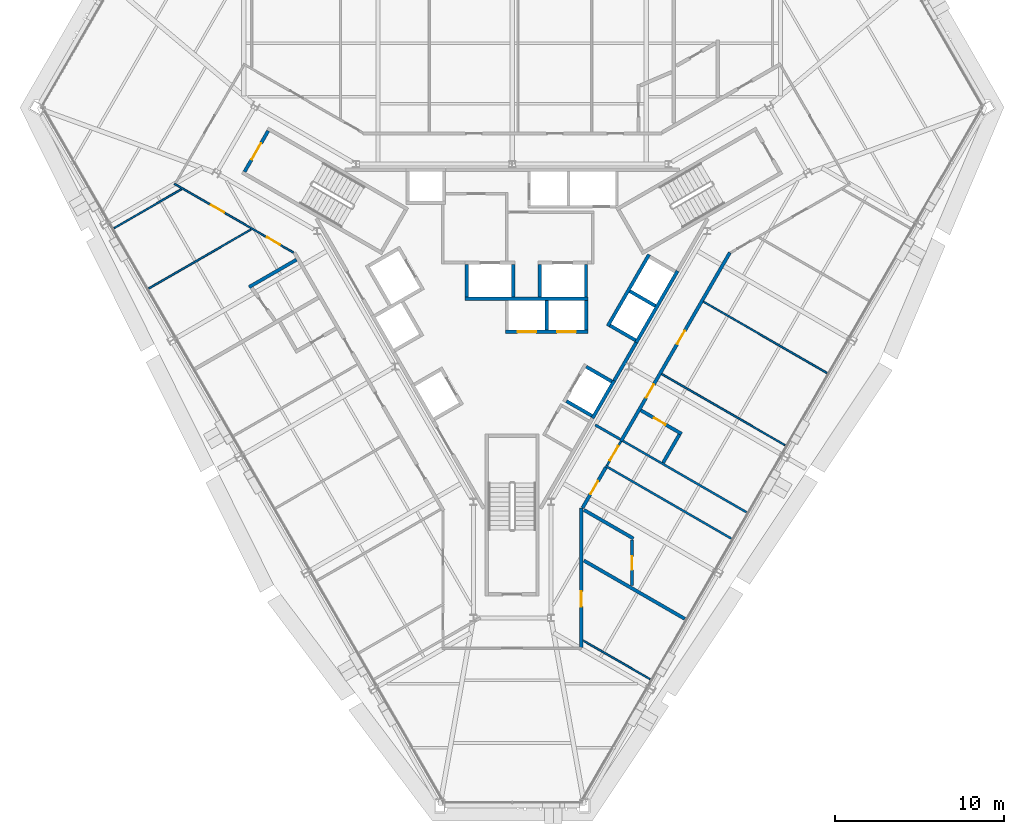
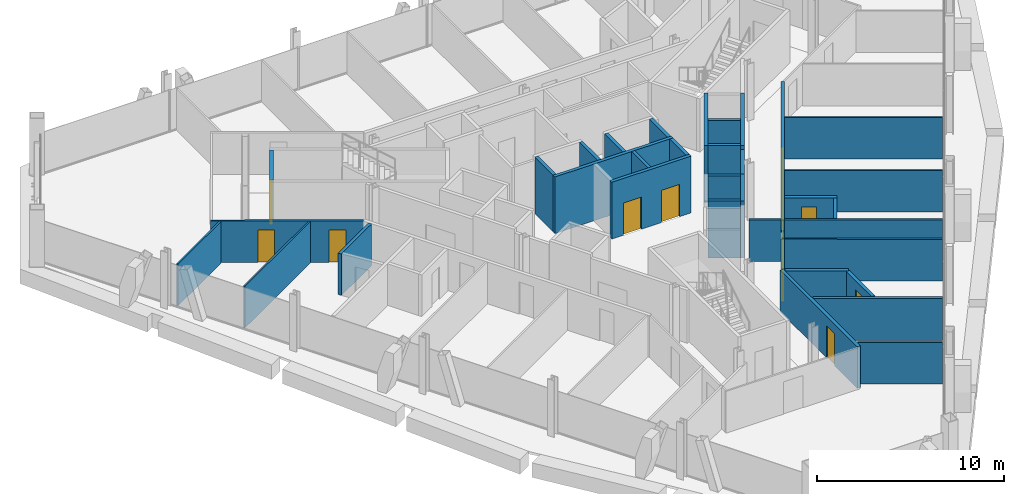
# One storey, part 10 of 14: 36 walls, 12 doors, 12 openings.
"""IFC4 building model written with IfcOpenShell, lengths in metres."""

from ifc_helpers import new_model, si_unit, direction, frame, frame_2d, origin, place, context, subcontext, project, spatial, rectangle, extrude, material, layer, layer_set, type_object, element, fill, save


model = new_model("IFC4")

# Units and contexts
model_context = context("Model", 3, precision=1e-05, world=origin(), true_north=direction((0.0, 1.0)))
body_context = subcontext(model_context, "Body", "Model", "MODEL_VIEW")
ifc_project = project(units=[si_unit("LENGTHUNIT", "METRE"), si_unit("AREAUNIT", "SQUARE_METRE"), si_unit("VOLUMEUNIT", "CUBIC_METRE"), si_unit("PLANEANGLEUNIT", "RADIAN"), si_unit("MASSUNIT", "GRAM", prefix="KILO")], contexts=[model_context])

# Site, building, storey
site_placement = place(None, origin())
site = spatial("IfcSite", under=ifc_project, at=site_placement, CompositionType="ELEMENT")
building_placement = place(site_placement, origin())
building = spatial("IfcBuilding", under=site, at=building_placement, Name="Verrane Prism Tower", CompositionType="ELEMENT")
storey_placement = place(building_placement, frame((0.0, 0.0, 193.199951171875)))
storey = spatial("IfcBuildingStorey", under=building, at=storey_placement, Name="L48", CompositionType="ELEMENT", Elevation=193.199951171875)

# Wall
ifc_material_1 = material(Name="Gypsum board partition", Category="other")
ifc_layer_1 = layer(ifc_material_1, 0.199951171875)
ifc_layer_set_1 = layer_set([ifc_layer_1], Name="CW-200 core boundary wall 2 h")
wall_type_1 = type_object("IfcWallType", Name="CW-200 core boundary wall 2 h", PredefinedType="PARTITIONING", material=ifc_layer_set_1)
wall_1_placement = place(storey_placement, frame((6.0419921875, -4.85498046875, 0.0), z_axis=(0.0, 0.0, 1.0), x_axis=(0.500252727967, 0.865879442048, 0.0)))
element("IfcWall", 1, at=wall_1_placement, inside=storey, type_object=wall_type_1, Name="Core boundary wall CW3-007", PredefinedType="PARTITIONING", context=body_context, shape_type="SweptSolid", body=[
    extrude(rectangle(XDim=2.616943359375, YDim=0.199951171875, at=frame_2d((1.30859375, 0.0))), origin(), (0.0, 0.0, 1.0), 3.449951171875),
])

# Wall, opening, door
ifc_material_2 = material(Name="Concrete C40/50", Category="concrete")
ifc_layer_2 = layer(ifc_material_2, 0.199951171875)
ifc_layer_set_2 = layer_set([ifc_layer_2], Name="CW-200 stair core wall concrete C40/50 3 h")
wall_type_2 = type_object("IfcWallType", Name="CW-200 stair core wall concrete C40/50 3 h", PredefinedType="PARTITIONING", material=ifc_layer_set_2)
wall_2_placement = place(storey_placement, frame((-14.455322265625, 9.96240234375, 0.0), z_axis=(0.0, 0.0, 1.0), x_axis=(-0.500049511043, -0.865996816683, 0.0)))
wall_2 = element("IfcWall", 2, at=wall_2_placement, inside=storey, type_object=wall_type_2, Name="Stair 2 enclosure wall", PredefinedType="PARTITIONING", context=body_context, shape_type="SweptSolid", body=[
    extrude(rectangle(XDim=2.800048828125, YDim=0.199951171875, at=frame_2d((1.39990234375, 0.0))), origin(), (0.0, 0.0, 1.0), 3.449951171875),
])
opening_1_placement = place(wall_2_placement, frame((0.849853515625, 0.0, 0.0)))
opening_1 = element("IfcOpeningElement", 3, at=opening_1_placement, cuts=wall_2, Name="Opening D47501", PredefinedType="OPENING", context=body_context, shape_type="SweptSolid", body=[
    extrude(rectangle(XDim=1.10009765625, YDim=2.10009765625, at=frame_2d((0.550048828125, 1.050048828125))), frame((0.0, 0.10986328125, 0.0), z_axis=(0.0, -1.0, 0.0), x_axis=(1.0, 0.0, 0.0)), (0.0, 0.0, 1.0), 0.219970703125),
])
ifc_material_3 = material(Name="Timber veneered door leaf", Category="wood")
door_type_1 = type_object("IfcDoorType", Name="DR-1100x2100 FD90 single leaf stair", OperationType="NOTDEFINED", PredefinedType="DOOR", material=ifc_material_3)
door_1_placement = place(opening_1_placement, origin())
door_1 = element("IfcDoor", 4, at=door_1_placement, inside=storey, type_object=door_type_1, Name="Stair 2 door", OperationType="SINGLE_SWING_RIGHT", OverallHeight=2.10009765625, OverallWidth=1.10009765625, PredefinedType="DOOR", context=body_context, shape_type="SweptSolid", body=[
    extrude(rectangle(XDim=1.10009765625, YDim=2.10009765625, at=frame_2d((0.550048828125, 1.050048828125))), frame((0.0, 0.02490234375, 0.0), z_axis=(0.0, -1.0, 0.0), x_axis=(1.0, 0.0, 0.0)), (0.0, 0.0, 1.0), 0.050048828125),
])
fill(opening_1, door_1)

# Wall, openings, doors
ifc_material_4 = material(Name="Gypsum board shaft wall assembly", Category="other")
ifc_layer_3 = layer(ifc_material_4, 0.199951171875)
ifc_layer_set_3 = layer_set([ifc_layer_3], Name="HW-200 lift shaft wall 2 h")
wall_type_3 = type_object("IfcWallType", Name="HW-200 lift shaft wall 2 h", PredefinedType="PARTITIONING", material=ifc_layer_set_3)
wall_3_placement = place(storey_placement, frame((-0.405029296875, -1.949951171875, 0.0), z_axis=(0.0, 0.0, 1.0), x_axis=(1.0, 0.0, 0.0)))
wall_3 = element("IfcWall", 5, at=wall_3_placement, inside=storey, type_object=wall_type_3, Name="Lift shaft wall", PredefinedType="PARTITIONING", context=body_context, shape_type="SweptSolid", body=[
    extrude(rectangle(XDim=4.900146484375, YDim=0.199951171875, at=frame_2d((2.4501953125, 0.0))), origin(), (0.0, 0.0, 1.0), 3.699951171875),
])
opening_2_placement = place(wall_3_placement, frame((0.72509765625, 0.0, 0.0)))
opening_2 = element("IfcOpeningElement", 6, at=opening_2_placement, cuts=wall_3, Name="Opening D47503", PredefinedType="OPENING", context=body_context, shape_type="SweptSolid", body=[
    extrude(rectangle(XDim=1.10009765625, YDim=2.10009765625, at=frame_2d((0.550048828125, 1.050048828125))), frame((0.0, 0.10986328125, 0.0), z_axis=(0.0, -1.0, 0.0), x_axis=(1.0, 0.0, 0.0)), (0.0, 0.0, 1.0), 0.219970703125),
])
opening_3_placement = place(wall_3_placement, frame((3.074951171875, 0.0, 0.0)))
opening_3 = element("IfcOpeningElement", 7, at=opening_3_placement, cuts=wall_3, Name="Opening D47504", PredefinedType="OPENING", context=body_context, shape_type="SweptSolid", body=[
    extrude(rectangle(XDim=1.10009765625, YDim=2.10009765625, at=frame_2d((0.550048828125, 1.050048828125))), frame((0.0, 0.10986328125, 0.0), z_axis=(0.0, -1.0, 0.0), x_axis=(1.0, 0.0, 0.0)), (0.0, 0.0, 1.0), 0.219970703125),
])
ifc_material_5 = material(Name="Stainless steel sliding landing door", Category="steel")
door_type_2 = type_object("IfcDoorType", Name="LD-1100x2100 lift landing door FD90 sliding", OperationType="NOTDEFINED", PredefinedType="DOOR", material=ifc_material_5)
door_2_placement = place(opening_2_placement, origin())
door_2 = element("IfcDoor", 8, at=door_2_placement, inside=storey, type_object=door_type_2, Name="Bank B lift 1 landing door", OperationType="SLIDING_TO_LEFT", OverallHeight=2.10009765625, OverallWidth=1.10009765625, PredefinedType="DOOR", context=body_context, shape_type="SweptSolid", body=[
    extrude(rectangle(XDim=1.10009765625, YDim=2.10009765625, at=frame_2d((0.550048828125, 1.050048828125))), frame((0.0, 0.02490234375, 0.0), z_axis=(0.0, -1.0, 0.0), x_axis=(1.0, 0.0, 0.0)), (0.0, 0.0, 1.0), 0.050048828125),
])
fill(opening_2, door_2)
door_3_placement = place(opening_3_placement, origin())
door_3 = element("IfcDoor", 9, at=door_3_placement, inside=storey, type_object=door_type_2, Name="Bank B lift 2 landing door", OperationType="SLIDING_TO_RIGHT", OverallHeight=2.10009765625, OverallWidth=1.10009765625, PredefinedType="DOOR", context=body_context, shape_type="SweptSolid", body=[
    extrude(rectangle(XDim=1.10009765625, YDim=2.10009765625, at=frame_2d((0.550048828125, 1.050048828125))), frame((0.0, 0.02490234375, 0.0), z_axis=(0.0, -1.0, 0.0), x_axis=(1.0, 0.0, 0.0)), (0.0, 0.0, 1.0), 0.050048828125),
])
fill(opening_3, door_3)

# Walls
wall_4_placement = place(storey_placement, frame((-2.784912109375, 0.0, 0.0), z_axis=(0.0, 0.0, 1.0), x_axis=(1.0, 0.0, 0.0)))
element("IfcWall", 10, at=wall_4_placement, inside=storey, type_object=wall_type_3, Name="Lift shaft wall", PredefinedType="PARTITIONING", context=body_context, shape_type="SweptSolid", body=[
    extrude(rectangle(XDim=7.280029296875, YDim=0.199951171875, at=frame_2d((3.64013671875, 0.0))), origin(), (0.0, 0.0, 1.0), 3.699951171875),
])
wall_5_placement = place(storey_placement, frame((4.766357421875, -7.064697265625, 0.0), z_axis=(0.0, 0.0, 1.0), x_axis=(0.499948979701, 0.866054858364, 0.0)))
element("IfcWall", 11, at=wall_5_placement, inside=storey, type_object=wall_type_3, Name="Lift shaft wall", PredefinedType="PARTITIONING", context=body_context, shape_type="SweptSolid", body=[
    extrude(rectangle(XDim=2.550048828125, YDim=0.199951171875, at=frame_2d((1.27490234375, 0.0))), origin(), (0.0, 0.0, 1.0), 3.699951171875),
])
wall_6_placement = place(storey_placement, frame((7.351318359375, -2.587158203125, 0.0), z_axis=(0.0, 0.0, 1.0), x_axis=(0.500002801628, 0.866023786258, 0.0)))
element("IfcWall", 12, at=wall_6_placement, inside=storey, type_object=wall_type_3, Name="Lift shaft wall", PredefinedType="PARTITIONING", context=body_context, shape_type="SweptSolid", body=[
    extrude(rectangle(XDim=4.89990234375, YDim=0.199951171875, at=frame_2d((2.449951171875, 0.0))), origin(), (0.0, 0.0, 1.0), 3.699951171875),
])
wall_7_placement = place(storey_placement, frame((5.66259765625, -1.6123046875, 0.0), z_axis=(0.0, 0.0, 1.0), x_axis=(0.49998122708, 0.866036242063, 0.0)))
element("IfcWall", 13, at=wall_7_placement, inside=storey, type_object=wall_type_3, Name="Lift shaft wall", PredefinedType="PARTITIONING", context=body_context, shape_type="SweptSolid", body=[
    extrude(rectangle(XDim=4.900146484375, YDim=0.199951171875, at=frame_2d((2.4501953125, 0.0))), origin(), (0.0, 0.0, 1.0), 3.699951171875),
])
wall_8_placement = place(storey_placement, frame((4.39501953125, -1.85009765625, 0.0), z_axis=(0.0, 0.0, 1.0), x_axis=(0.0, 1.0, 0.0)))
element("IfcWall", 14, at=wall_8_placement, inside=storey, type_object=wall_type_3, Name="Lift shaft wall", PredefinedType="PARTITIONING", context=body_context, shape_type="SweptSolid", body=[
    extrude(rectangle(XDim=1.75, YDim=0.199951171875, at=frame_2d((0.875, 0.0))), origin(), (0.0, 0.0, 1.0), 3.699951171875),
])
wall_9_placement = place(storey_placement, frame((4.375, 0.10009765625, 0.0), z_axis=(0.0, 0.0, 1.0), x_axis=(0.0, 1.0, 0.0)))
element("IfcWall", 15, at=wall_9_placement, inside=storey, type_object=wall_type_3, Name="Lift shaft wall", PredefinedType="PARTITIONING", context=body_context, shape_type="SweptSolid", body=[
    extrude(rectangle(XDim=1.949951171875, YDim=0.199951171875, at=frame_2d((0.97509765625, 0.0))), origin(), (0.0, 0.0, 1.0), 3.699951171875),
])
wall_10_placement = place(storey_placement, frame((2.044921875, -1.85009765625, 0.0), z_axis=(0.0, 0.0, 1.0), x_axis=(0.0, 1.0, 0.0)))
element("IfcWall", 16, at=wall_10_placement, inside=storey, type_object=wall_type_3, Name="Lift shaft wall", PredefinedType="PARTITIONING", context=body_context, shape_type="SweptSolid", body=[
    extrude(rectangle(XDim=1.75, YDim=0.199951171875, at=frame_2d((0.875, 0.0))), origin(), (0.0, 0.0, 1.0), 3.699951171875),
])
for number, where, z_axis, x_axis, name in (
    (17, (1.625, 0.10009765625, 0.0), (0.0, 0.0, 1.0), (0.0, 1.0, 0.0), "Lift shaft wall"),
    (18, (0.06494140625, 0.10009765625, 0.0), (0.0, 0.0, 1.0), (0.0, 1.0, 0.0), "Lift shaft wall"),
    (19, (-2.68505859375, 0.10009765625, 0.0), (0.0, 0.0, 1.0), (0.0, 1.0, 0.0), "Lift shaft wall"),
):
    element("IfcWall", number, at=place(storey_placement, frame(where, z_axis=z_axis, x_axis=x_axis)), inside=storey, type_object=wall_type_3, Name=name, PredefinedType="PARTITIONING", context=body_context, shape_type="SweptSolid", body=[
        extrude(rectangle(XDim=1.949951171875, YDim=0.199951171875, at=frame_2d((0.97509765625, 0.0))), origin(), (0.0, 0.0, 1.0), 3.699951171875),
    ])
for number, where, z_axis, x_axis, name in (
    (20, (8.48974609375, -0.41552734375, 0.0), (0.0, 0.0, 1.0), (-0.866036909293, 0.499980071345, 0.0), "Lift shaft wall"),
    (21, (7.314697265625, -2.45068359375, 0.0), (0.0, 0.0, 1.0), (-0.866036909293, 0.499980071345, 0.0), "Lift shaft wall"),
):
    element("IfcWall", number, at=place(storey_placement, frame(where, z_axis=z_axis, x_axis=x_axis)), inside=storey, type_object=wall_type_3, Name=name, PredefinedType="PARTITIONING", context=body_context, shape_type="SweptSolid", body=[
        extrude(rectangle(XDim=1.75, YDim=0.199951171875, at=frame_2d((0.875, 0.0))), origin(), (0.0, 0.0, 1.0), 3.699951171875),
    ])
wall_11_placement = place(storey_placement, frame((5.904541015625, -4.892822265625, 0.0), z_axis=(0.0, 0.0, 1.0), x_axis=(-0.866002029911, 0.500040482552, 0.0)))
element("IfcWall", 22, at=wall_11_placement, inside=storey, type_object=wall_type_3, Name="Lift shaft wall", PredefinedType="PARTITIONING", context=body_context, shape_type="SweptSolid", body=[
    extrude(rectangle(XDim=1.749755859375, YDim=0.199951171875, at=frame_2d((0.875, 0.0))), origin(), (0.0, 0.0, 1.0), 3.699951171875),
])
wall_12_placement = place(storey_placement, frame((4.729736328125, -6.927978515625, 0.0), z_axis=(0.0, 0.0, 1.0), x_axis=(-0.866036909293, 0.499980071345, 0.0)))
element("IfcWall", 23, at=wall_12_placement, inside=storey, type_object=wall_type_3, Name="Lift shaft wall", PredefinedType="PARTITIONING", context=body_context, shape_type="SweptSolid", body=[
    extrude(rectangle(XDim=1.75, YDim=0.199951171875, at=frame_2d((0.875, 0.0))), origin(), (0.0, 0.0, 1.0), 3.699951171875),
])
ifc_material_6 = material(Name="Gypsum board partition", Category="other")
ifc_layer_4 = layer(ifc_material_6, 0.10009765625)
ifc_layer_set_4 = layer_set([ifc_layer_4], Name="PW-100 room partition")
wall_type_4 = type_object("IfcWallType", Name="PW-100 room partition", PredefinedType="PARTITIONING", material=ifc_layer_set_4)
wall_13_placement = place(storey_placement, frame((-23.591796875, 4.19189453125, 0.0), z_axis=(0.0, 0.0, 1.0), x_axis=(0.866056775574, 0.499945658529, 0.0)))
element("IfcWall", 24, at=wall_13_placement, inside=storey, type_object=wall_type_4, Name="Room partition 001", PredefinedType="PARTITIONING", context=body_context, shape_type="SweptSolid", body=[
    extrude(rectangle(XDim=4.60791015625, YDim=0.10009765625, at=frame_2d((2.303955078125, 0.0))), origin(), (0.0, 0.0, 1.0), 2.713134765625),
])
wall_14_placement = place(storey_placement, frame((-21.529541015625, 0.6201171875, 0.0), z_axis=(0.0, 0.0, 1.0), x_axis=(0.865986079307, 0.500068105808, 0.0)))
element("IfcWall", 25, at=wall_14_placement, inside=storey, type_object=wall_type_4, Name="Room partition 002", PredefinedType="PARTITIONING", context=body_context, shape_type="SweptSolid", body=[
    extrude(rectangle(XDim=6.990234375, YDim=0.10009765625, at=frame_2d((3.4951171875, 0.0))), origin(), (0.0, 0.0, 1.0), 2.713134765625),
])

# Wall, openings, doors
wall_15_placement = place(storey_placement, frame((-12.95166015625, 2.744384765625, 0.0), z_axis=(0.0, 0.0, 1.0), x_axis=(-0.86608949446, 0.499888975259, 0.0)))
wall_15 = element("IfcWall", 26, at=wall_15_placement, inside=storey, type_object=wall_type_4, Name="Room partition 004", PredefinedType="PARTITIONING", context=body_context, shape_type="SweptSolid", body=[
    extrude(rectangle(XDim=8.164794921875, YDim=0.10009765625, at=frame_2d((4.08251953125, 0.0))), origin(), (0.0, 0.0, 1.0), 2.713134765625),
])
opening_4_placement = place(wall_15_placement, frame((4.740966796875, 0.0, 0.0)))
opening_4 = element("IfcOpeningElement", 27, at=opening_4_placement, cuts=wall_15, Name="Opening D47019", PredefinedType="OPENING", context=body_context, shape_type="SweptSolid", body=[
    extrude(rectangle(XDim=0.89990234375, YDim=2.10009765625, at=frame_2d((0.449951171875, 1.050048828125))), frame((0.0, 0.06005859375, 0.0), z_axis=(0.0, -1.0, 0.0), x_axis=(1.0, 0.0, 0.0)), (0.0, 0.0, 1.0), 0.1201171875),
])
opening_5_placement = place(wall_15_placement, frame((0.927978515625, 0.0, 0.0)))
opening_5 = element("IfcOpeningElement", 28, at=opening_5_placement, cuts=wall_15, Name="Opening D47020", PredefinedType="OPENING", context=body_context, shape_type="SweptSolid", body=[
    extrude(rectangle(XDim=0.89990234375, YDim=2.10009765625, at=frame_2d((0.449951171875, 1.050048828125))), frame((0.0, 0.06005859375, 0.0), z_axis=(0.0, -1.0, 0.0), x_axis=(1.0, 0.0, 0.0)), (0.0, 0.0, 1.0), 0.1201171875),
])
ifc_material_7 = material(Name="Timber veneered door leaf", Category="wood")
door_type_3 = type_object("IfcDoorType", Name="DR-900x2100 single leaf inner", OperationType="NOTDEFINED", PredefinedType="DOOR", material=ifc_material_7)
door_4_placement = place(opening_5_placement, origin())
door_4 = element("IfcDoor", 29, at=door_4_placement, inside=storey, type_object=door_type_3, Name="Master Bedroom door", OperationType="SINGLE_SWING_LEFT", OverallHeight=2.10009765625, OverallWidth=0.89990234375, PredefinedType="DOOR", context=body_context, shape_type="SweptSolid", body=[
    extrude(rectangle(XDim=0.89990234375, YDim=2.10009765625, at=frame_2d((0.449951171875, 1.050048828125))), frame((0.0, 0.02490234375, 0.0), z_axis=(0.0, -1.0, 0.0), x_axis=(1.0, 0.0, 0.0)), (0.0, 0.0, 1.0), 0.050048828125),
])
fill(opening_5, door_4)
ifc_material_8 = material(Name="Timber veneered door leaf", Category="wood")
door_type_4 = type_object("IfcDoorType", Name="DR-900x2100 single leaf unit", OperationType="NOTDEFINED", PredefinedType="DOOR", material=ifc_material_8)
door_5_placement = place(opening_4_placement, origin())
door_5 = element("IfcDoor", 30, at=door_5_placement, inside=storey, type_object=door_type_4, Name="Kitchen door", OperationType="SINGLE_SWING_RIGHT", OverallHeight=2.10009765625, OverallWidth=0.89990234375, PredefinedType="DOOR", context=body_context, shape_type="SweptSolid", body=[
    extrude(rectangle(XDim=0.89990234375, YDim=2.10009765625, at=frame_2d((0.449951171875, 1.050048828125))), frame((0.0, 0.02490234375, 0.0), z_axis=(0.0, -1.0, 0.0), x_axis=(1.0, 0.0, 0.0)), (0.0, 0.0, 1.0), 0.050048828125),
])
fill(opening_4, door_5)

# Walls
wall_16_placement = place(storey_placement, frame((4.22509765625, -20.252197265625, 0.0), z_axis=(0.0, 0.0, 1.0), x_axis=(0.866048884701, -0.499959327653, 0.0)))
element("IfcWall", 31, at=wall_16_placement, inside=storey, type_object=wall_type_4, Name="Room partition 028", PredefinedType="PARTITIONING", context=body_context, shape_type="SweptSolid", body=[
    extrude(rectangle(XDim=4.55029296875, YDim=0.10009765625, at=frame_2d((2.275146484375, 0.0))), origin(), (0.0, 0.0, 1.0), 2.713134765625),
])
wall_17_placement = place(storey_placement, frame((8.868896484375, -4.451416015625, 0.0), z_axis=(0.0, 0.0, 1.0), x_axis=(0.866027858276, -0.499995748672, 0.0)))
element("IfcWall", 32, at=wall_17_placement, inside=storey, type_object=wall_type_4, Name="Room partition 042", PredefinedType="PARTITIONING", context=body_context, shape_type="SweptSolid", body=[
    extrude(rectangle(XDim=8.4287109375, YDim=0.10009765625, at=frame_2d((4.21435546875, 0.0))), origin(), (0.0, 0.0, 1.0), 2.713134765625),
])
wall_18_placement = place(storey_placement, frame((11.343017578125, -0.16552734375, 0.0), z_axis=(0.0, 0.0, 1.0), x_axis=(0.866022557401, -0.500004930048, 0.0)))
element("IfcWall", 33, at=wall_18_placement, inside=storey, type_object=wall_type_4, Name="Room partition 047", PredefinedType="PARTITIONING", context=body_context, shape_type="SweptSolid", body=[
    extrude(rectangle(XDim=8.42919921875, YDim=0.10009765625, at=frame_2d((4.214599609375, 0.0))), origin(), (0.0, 0.0, 1.0), 2.713134765625),
])

# Wall, opening, door
ifc_material_9 = material(Name="Gypsum board partition", Category="other")
ifc_layer_5 = layer(ifc_material_9, 0.125)
ifc_layer_set_5 = layer_set([ifc_layer_5], Name="PW-125 corridor wall 1 h")
wall_type_5 = type_object("IfcWallType", Name="PW-125 corridor wall 1 h", PredefinedType="PARTITIONING", material=ifc_layer_set_5)
wall_19_placement = place(storey_placement, frame((5.61962890625, -9.86962890625, 0.0), z_axis=(0.0, 0.0, 1.0), x_axis=(0.500142759665, 0.865942965763, 0.0)))
wall_19 = element("IfcWall", 34, at=wall_19_placement, inside=storey, type_object=wall_type_5, Name="Corridor wall 034", PredefinedType="PARTITIONING", context=body_context, shape_type="SweptSolid", body=[
    extrude(rectangle(XDim=1.6591796875, YDim=0.125, at=frame_2d((0.82958984375, 0.0))), origin(), (0.0, 0.0, 1.0), 2.713134765625),
])
opening_6_placement = place(wall_19_placement, frame((0.3349609375, 0.0, 0.0)))
opening_6 = element("IfcOpeningElement", 35, at=opening_6_placement, cuts=wall_19, Name="Opening D47028", PredefinedType="OPENING", context=body_context, shape_type="SweptSolid", body=[
    extrude(rectangle(XDim=1.0, YDim=2.10009765625, at=frame_2d((0.5, 1.050048828125))), frame((0.0, 0.072509765625, 0.0), z_axis=(0.0, -1.0, 0.0), x_axis=(1.0, 0.0, 0.0)), (0.0, 0.0, 1.0), 0.14501953125),
])
ifc_material_10 = material(Name="Timber veneered door leaf", Category="wood")
door_type_5 = type_object("IfcDoorType", Name="DR-1000x2100 FD20 single leaf unit", OperationType="NOTDEFINED", PredefinedType="DOOR", material=ifc_material_10)
door_6_placement = place(opening_6_placement, origin())
door_6 = element("IfcDoor", 36, at=door_6_placement, inside=storey, type_object=door_type_5, Name="Entrance Hall door", OperationType="SINGLE_SWING_RIGHT", OverallHeight=2.10009765625, OverallWidth=1.0, PredefinedType="DOOR", context=body_context, shape_type="SweptSolid", body=[
    extrude(rectangle(XDim=1.0, YDim=2.10009765625, at=frame_2d((0.5, 1.050048828125))), frame((0.0, 0.02490234375, 0.0), z_axis=(0.0, -1.0, 0.0), x_axis=(1.0, 0.0, 0.0)), (0.0, 0.0, 1.0), 0.050048828125),
])
fill(opening_6, door_6)

# Walls
wall_20_placement = place(storey_placement, frame((5.532958984375, -9.894775390625, 0.0), z_axis=(0.0, 0.0, 1.0), x_axis=(0.865995449608, -0.500051878567, 0.0)))
element("IfcWall", 37, at=wall_20_placement, inside=storey, type_object=wall_type_5, Name="Corridor wall 035", PredefinedType="PARTITIONING", context=body_context, shape_type="SweptSolid", body=[
    extrude(rectangle(XDim=8.59619140625, YDim=0.125, at=frame_2d((4.298095703125, 0.0))), origin(), (0.0, 0.0, 1.0), 2.713134765625),
])
wall_21_placement = place(storey_placement, frame((6.57568359375, -8.419189453125, 0.0), z_axis=(0.0, 0.0, 1.0), x_axis=(0.866048155274, -0.499960591193, 0.0)))
element("IfcWall", 38, at=wall_21_placement, inside=storey, type_object=wall_type_5, Name="Corridor wall 037", PredefinedType="PARTITIONING", context=body_context, shape_type="SweptSolid", body=[
    extrude(rectangle(XDim=8.430908203125, YDim=0.125, at=frame_2d((4.21533203125, 0.0))), origin(), (0.0, 0.0, 1.0), 2.713134765625),
])
ifc_material_11 = material(Name="Gypsum board partition", Category="other")
ifc_layer_6 = layer(ifc_material_11, 0.14990234375)
ifc_layer_set_6 = layer_set([ifc_layer_6], Name="PW-150 demising wall 1 h")
wall_type_6 = type_object("IfcWallType", Name="PW-150 demising wall 1 h", PredefinedType="PARTITIONING", material=ifc_layer_set_6)
wall_22_placement = place(storey_placement, frame((4.927978515625, -7.468017578125, 0.0), z_axis=(0.0, 0.0, 1.0), x_axis=(0.866075426483, -0.499913348133, 0.0)))
element("IfcWall", 39, at=wall_22_placement, inside=storey, type_object=wall_type_6, Name="Demising wall 033", PredefinedType="PARTITIONING", context=body_context, shape_type="SweptSolid", body=[
    extrude(rectangle(XDim=1.697509765625, YDim=0.14990234375, at=frame_2d((0.8486328125, 0.0))), origin(), (0.0, 0.0, 1.0), 2.713134765625),
])
ifc_material_12 = material(Name="Gypsum board partition", Category="other")
ifc_layer_7 = layer(ifc_material_12, 0.199951171875)
ifc_layer_set_7 = layer_set([ifc_layer_7], Name="PW-200 plumbing wall")
wall_type_7 = type_object("IfcWallType", Name="PW-200 plumbing wall", PredefinedType="PARTITIONING", material=ifc_layer_set_7)
wall_23_placement = place(storey_placement, frame((-15.588623046875, 0.702880859375, 0.0), z_axis=(0.0, 0.0, 1.0), x_axis=(0.86594479446, 0.500139593461, 0.0)))
element("IfcWall", 40, at=wall_23_placement, inside=storey, type_object=wall_type_7, Name="Plumbing wall 009", PredefinedType="PARTITIONING", context=body_context, shape_type="SweptSolid", body=[
    extrude(rectangle(XDim=3.2421875, YDim=0.199951171875, at=frame_2d((1.62109375, 0.0))), origin(), (0.0, 0.0, 1.0), 2.713134765625),
])

# Wall, opening, door
wall_24_placement = place(storey_placement, frame((4.10009765625, -12.402099609375, 0.0), z_axis=(0.0, 0.0, 1.0), x_axis=(0.0, -1.0, 0.0)))
wall_24 = element("IfcWall", 41, at=wall_24_placement, inside=storey, type_object=wall_type_7, Name="Plumbing wall 027", PredefinedType="PARTITIONING", context=body_context, shape_type="SweptSolid", body=[
    extrude(rectangle(XDim=8.247802734375, YDim=0.199951171875, at=frame_2d((4.1240234375, 0.0))), origin(), (0.0, 0.0, 1.0), 2.713134765625),
])
opening_7_placement = place(wall_24_placement, frame((4.927978515625, 0.0, 0.0)))
opening_7 = element("IfcOpeningElement", 42, at=opening_7_placement, cuts=wall_24, Name="Opening D47001", PredefinedType="OPENING", context=body_context, shape_type="SweptSolid", body=[
    extrude(rectangle(XDim=0.89990234375, YDim=2.10009765625, at=frame_2d((0.449951171875, 1.050048828125))), frame((0.0, 0.10986328125, 0.0), z_axis=(0.0, -1.0, 0.0), x_axis=(1.0, 0.0, 0.0)), (0.0, 0.0, 1.0), 0.219970703125),
])
door_7_placement = place(opening_7_placement, origin())
door_7 = element("IfcDoor", 43, at=door_7_placement, inside=storey, type_object=door_type_4, Name="Kitchen door", OperationType="SINGLE_SWING_RIGHT", OverallHeight=2.10009765625, OverallWidth=0.89990234375, PredefinedType="DOOR", context=body_context, shape_type="SweptSolid", body=[
    extrude(rectangle(XDim=0.89990234375, YDim=2.10009765625, at=frame_2d((0.449951171875, 1.050048828125))), frame((0.0, 0.02490234375, 0.0), z_axis=(0.0, -1.0, 0.0), x_axis=(1.0, 0.0, 0.0)), (0.0, 0.0, 1.0), 0.050048828125),
])
fill(opening_7, door_7)

# Wall
wall_25_placement = place(storey_placement, frame((4.25, -15.503662109375, 0.0), z_axis=(0.0, 0.0, 1.0), x_axis=(0.866025383743, -0.500000034713, 0.0)))
element("IfcWall", 44, at=wall_25_placement, inside=storey, type_object=wall_type_7, Name="Plumbing wall 029", PredefinedType="PARTITIONING", context=body_context, shape_type="SweptSolid", body=[
    extrude(rectangle(XDim=6.90283203125, YDim=0.199951171875, at=frame_2d((3.451416015625, 0.0))), origin(), (0.0, 0.0, 1.0), 2.713134765625),
])

# Wall, opening, door
wall_26_placement = place(storey_placement, frame((5.5556640625, -9.980224609375, 0.0), z_axis=(0.0, 0.0, 1.0), x_axis=(-0.499940639567, -0.866059672834, 0.0)))
wall_26 = element("IfcWall", 45, at=wall_26_placement, inside=storey, type_object=wall_type_7, Name="Plumbing wall 030", PredefinedType="PARTITIONING", context=body_context, shape_type="SweptSolid", body=[
    extrude(rectangle(XDim=2.776611328125, YDim=0.199951171875, at=frame_2d((1.38818359375, 0.0))), origin(), (0.0, 0.0, 1.0), 2.713134765625),
])
opening_8_placement = place(wall_26_placement, frame((0.936767578125, 0.0, 0.0)))
opening_8 = element("IfcOpeningElement", 46, at=opening_8_placement, cuts=wall_26, Name="Opening D47002", PredefinedType="OPENING", context=body_context, shape_type="SweptSolid", body=[
    extrude(rectangle(XDim=0.89990234375, YDim=2.10009765625, at=frame_2d((0.449951171875, 1.050048828125))), frame((0.0, 0.10986328125, 0.0), z_axis=(0.0, -1.0, 0.0), x_axis=(1.0, 0.0, 0.0)), (0.0, 0.0, 1.0), 0.219970703125),
])
door_8_placement = place(opening_8_placement, origin())
door_8 = element("IfcDoor", 47, at=door_8_placement, inside=storey, type_object=door_type_3, Name="Master Bedroom door", OperationType="SINGLE_SWING_LEFT", OverallHeight=2.10009765625, OverallWidth=0.89990234375, PredefinedType="DOOR", context=body_context, shape_type="SweptSolid", body=[
    extrude(rectangle(XDim=0.89990234375, YDim=2.10009765625, at=frame_2d((0.449951171875, 1.050048828125))), frame((0.0, 0.02490234375, 0.0), z_axis=(0.0, -1.0, 0.0), x_axis=(1.0, 0.0, 0.0)), (0.0, 0.0, 1.0), 0.050048828125),
])
fill(opening_8, door_8)

# Wall
wall_27_placement = place(storey_placement, frame((4.25048828125, -12.501953125, 0.0), z_axis=(0.0, 0.0, 1.0), x_axis=(0.866032087317, -0.499988423603, 0.0)))
element("IfcWall", 48, at=wall_27_placement, inside=storey, type_object=wall_type_7, Name="Plumbing wall 031", PredefinedType="PARTITIONING", context=body_context, shape_type="SweptSolid", body=[
    extrude(rectangle(XDim=3.39013671875, YDim=0.199951171875, at=frame_2d((1.695068359375, 0.0))), origin(), (0.0, 0.0, 1.0), 2.713134765625),
])

# Wall, openings, doors
wall_28_placement = place(storey_placement, frame((12.903076171875, 2.745361328125, 0.0), z_axis=(0.0, 0.0, 1.0), x_axis=(-0.499992063946, -0.866029985619, 0.0)))
wall_28 = element("IfcWall", 49, at=wall_28_placement, inside=storey, type_object=wall_type_7, Name="Plumbing wall 036", PredefinedType="PARTITIONING", context=body_context, shape_type="SweptSolid", body=[
    extrude(rectangle(XDim=12.907470703125, YDim=0.199951171875, at=frame_2d((6.45361328125, 0.0))), origin(), (0.0, 0.0, 1.0), 2.713134765625),
])
opening_9_placement = place(wall_28_placement, frame((9.032470703125, 0.0, 0.0)))
opening_9 = element("IfcOpeningElement", 50, at=opening_9_placement, cuts=wall_28, Name="Opening D47004", PredefinedType="OPENING", context=body_context, shape_type="SweptSolid", body=[
    extrude(rectangle(XDim=0.89990234375, YDim=2.10009765625, at=frame_2d((0.449951171875, 1.050048828125))), frame((0.0, 0.10986328125, 0.0), z_axis=(0.0, -1.0, 0.0), x_axis=(1.0, 0.0, 0.0)), (0.0, 0.0, 1.0), 0.219970703125),
])
opening_10_placement = place(wall_28_placement, frame((5.349365234375, 0.0, 0.0)))
opening_10 = element("IfcOpeningElement", 51, at=opening_10_placement, cuts=wall_28, Name="Opening D47006", PredefinedType="OPENING", context=body_context, shape_type="SweptSolid", body=[
    extrude(rectangle(XDim=0.89990234375, YDim=2.10009765625, at=frame_2d((0.449951171875, 1.050048828125))), frame((0.0, 0.10986328125, 0.0), z_axis=(0.0, -1.0, 0.0), x_axis=(1.0, 0.0, 0.0)), (0.0, 0.0, 1.0), 0.219970703125),
])
door_9_placement = place(opening_9_placement, origin())
door_9 = element("IfcDoor", 52, at=door_9_placement, inside=storey, type_object=door_type_3, Name="Bedroom door", OperationType="SINGLE_SWING_LEFT", OverallHeight=2.10009765625, OverallWidth=0.89990234375, PredefinedType="DOOR", context=body_context, shape_type="SweptSolid", body=[
    extrude(rectangle(XDim=0.89990234375, YDim=2.10009765625, at=frame_2d((0.449951171875, 1.050048828125))), frame((0.0, 0.02490234375, 0.0), z_axis=(0.0, -1.0, 0.0), x_axis=(1.0, 0.0, 0.0)), (0.0, 0.0, 1.0), 0.050048828125),
])
fill(opening_9, door_9)
door_10_placement = place(opening_10_placement, origin())
door_10 = element("IfcDoor", 53, at=door_10_placement, inside=storey, type_object=door_type_4, Name="Study door", OperationType="SINGLE_SWING_LEFT", OverallHeight=2.10009765625, OverallWidth=0.89990234375, PredefinedType="DOOR", context=body_context, shape_type="SweptSolid", body=[
    extrude(rectangle(XDim=0.89990234375, YDim=2.10009765625, at=frame_2d((0.449951171875, 1.050048828125))), frame((0.0, 0.02490234375, 0.0), z_axis=(0.0, -1.0, 0.0), x_axis=(1.0, 0.0, 0.0)), (0.0, 0.0, 1.0), 0.050048828125),
])
fill(opening_10, door_10)

# Wall, opening, door
wall_29_placement = place(storey_placement, frame((7.10009765625, -16.976806640625, 0.0), z_axis=(0.0, 0.0, 1.0), x_axis=(0.0, 1.0, 0.0)))
wall_29 = element("IfcWall", 54, at=wall_29_placement, inside=storey, type_object=wall_type_7, Name="Plumbing wall 038", PredefinedType="PARTITIONING", context=body_context, shape_type="SweptSolid", body=[
    extrude(rectangle(XDim=2.69482421875, YDim=0.199951171875, at=frame_2d((1.347412109375, 0.0))), origin(), (0.0, 0.0, 1.0), 2.713134765625),
])
opening_11_placement = place(wall_29_placement, frame((0.9267578125, 0.0, 0.0)))
opening_11 = element("IfcOpeningElement", 55, at=opening_11_placement, cuts=wall_29, Name="Opening D47003", PredefinedType="OPENING", context=body_context, shape_type="SweptSolid", body=[
    extrude(rectangle(XDim=0.800048828125, YDim=2.10009765625, at=frame_2d((0.39990234375, 1.050048828125))), frame((0.0, 0.10986328125, 0.0), z_axis=(0.0, -1.0, 0.0), x_axis=(1.0, 0.0, 0.0)), (0.0, 0.0, 1.0), 0.219970703125),
])
ifc_material_13 = material(Name="Timber veneered door leaf", Category="wood")
door_type_6 = type_object("IfcDoorType", Name="DR-800x2100 single leaf bath", OperationType="NOTDEFINED", PredefinedType="DOOR", material=ifc_material_13)
door_11_placement = place(opening_11_placement, origin())
door_11 = element("IfcDoor", 56, at=door_11_placement, inside=storey, type_object=door_type_6, Name="Master Bathroom door", OperationType="SINGLE_SWING_LEFT", OverallHeight=2.10009765625, OverallWidth=0.800048828125, PredefinedType="DOOR", context=body_context, shape_type="SweptSolid", body=[
    extrude(rectangle(XDim=0.800048828125, YDim=2.10009765625, at=frame_2d((0.39990234375, 1.050048828125))), frame((0.0, 0.02490234375, 0.0), z_axis=(0.0, -1.0, 0.0), x_axis=(1.0, 0.0, 0.0)), (0.0, 0.0, 1.0), 0.050048828125),
])
fill(opening_11, door_11)

wall_30_placement = place(storey_placement, frame((10.048583984375, -7.9990234375, 0.0), z_axis=(0.0, 0.0, 1.0), x_axis=(-0.866041588165, 0.499971966783, 0.0)))
wall_30 = element("IfcWall", 57, at=wall_30_placement, inside=storey, type_object=wall_type_7, Name="Plumbing wall 041", PredefinedType="PARTITIONING", context=body_context, shape_type="SweptSolid", body=[
    extrude(rectangle(XDim=2.795166015625, YDim=0.199951171875, at=frame_2d((1.3974609375, 0.0))), origin(), (0.0, 0.0, 1.0), 2.713134765625),
])
opening_12_placement = place(wall_30_placement, frame((1.10009765625, 0.0, 0.0)))
opening_12 = element("IfcOpeningElement", 58, at=opening_12_placement, cuts=wall_30, Name="Opening D47005", PredefinedType="OPENING", context=body_context, shape_type="SweptSolid", body=[
    extrude(rectangle(XDim=0.800048828125, YDim=2.10009765625, at=frame_2d((0.39990234375, 1.050048828125))), frame((0.0, 0.10986328125, 0.0), z_axis=(0.0, -1.0, 0.0), x_axis=(1.0, 0.0, 0.0)), (0.0, 0.0, 1.0), 0.219970703125),
])
door_12_placement = place(opening_12_placement, origin())
door_12 = element("IfcDoor", 59, at=door_12_placement, inside=storey, type_object=door_type_6, Name="Bathroom door", OperationType="SINGLE_SWING_RIGHT", OverallHeight=2.10009765625, OverallWidth=0.800048828125, PredefinedType="DOOR", context=body_context, shape_type="SweptSolid", body=[
    extrude(rectangle(XDim=0.800048828125, YDim=2.10009765625, at=frame_2d((0.39990234375, 1.050048828125))), frame((0.0, 0.02490234375, 0.0), z_axis=(0.0, -1.0, 0.0), x_axis=(1.0, 0.0, 0.0)), (0.0, 0.0, 1.0), 0.050048828125),
])
fill(opening_12, door_12)

# Wall
wall_31_placement = place(storey_placement, frame((8.94580078125, -9.70947265625, 0.0), z_axis=(0.0, 0.0, 1.0), x_axis=(0.499970304126, 0.866042548026, 0.0)))
element("IfcWall", 60, at=wall_31_placement, inside=storey, type_object=wall_type_7, Name="Plumbing wall 044", PredefinedType="PARTITIONING", context=body_context, shape_type="SweptSolid", body=[
    extrude(rectangle(XDim=1.9326171875, YDim=0.199951171875, at=frame_2d((0.96630859375, 0.0))), origin(), (0.0, 0.0, 1.0), 2.713134765625),
])

save(model, "model.ifc")
